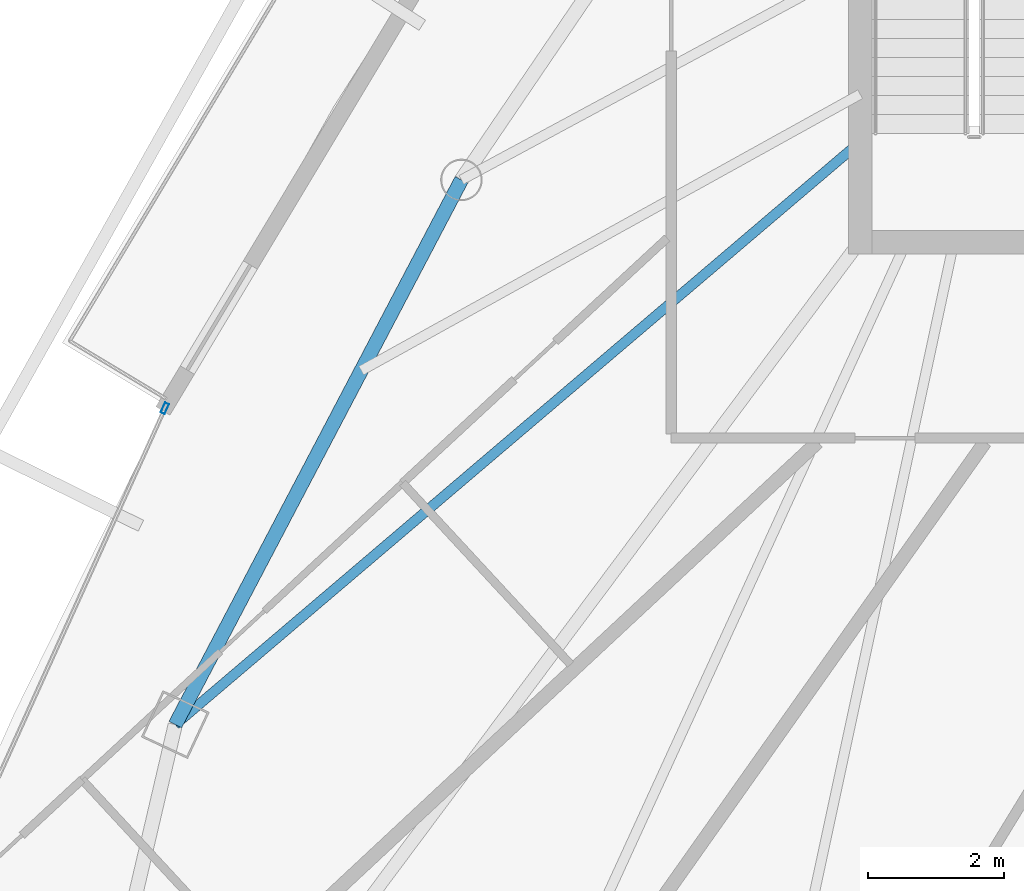
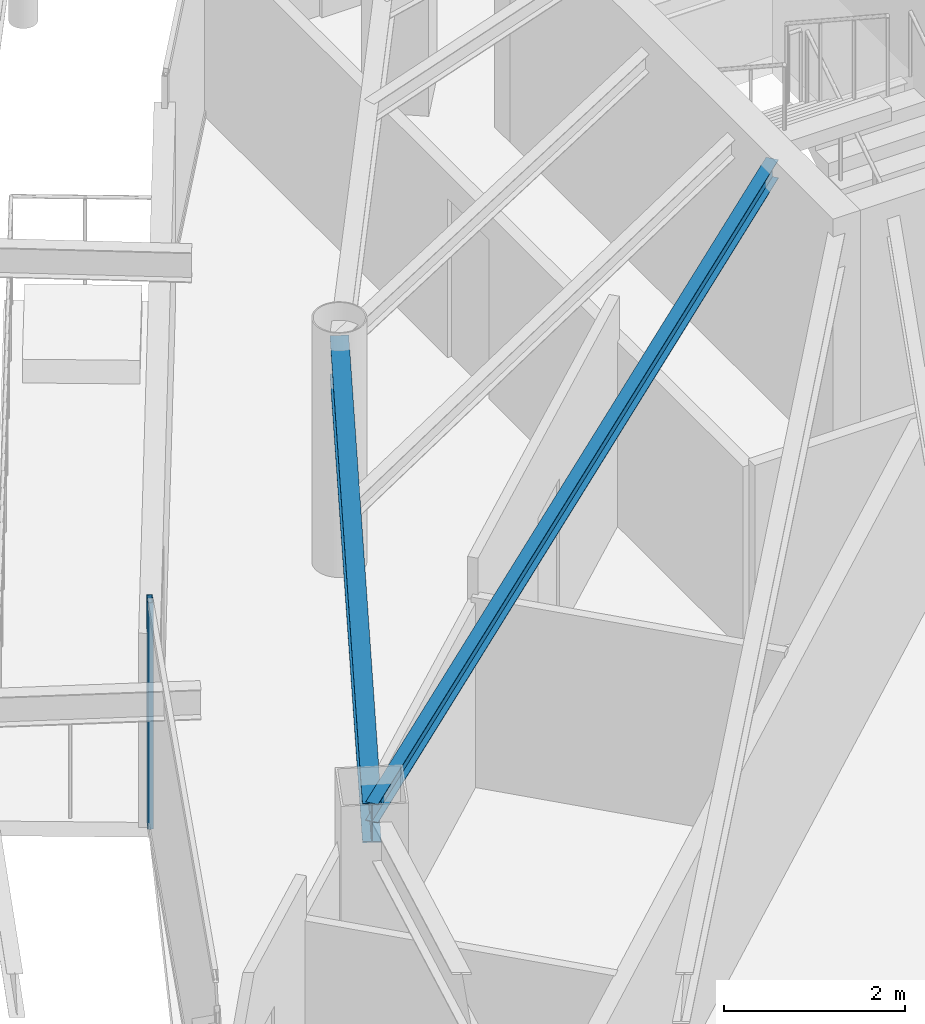
# One storey, part 10 of 32: 2 beams, 1 member, 1 element without a shape of its own.
"""IFC4 building model written with IfcOpenShell, lengths in metres."""

from ifc_helpers import new_model, si_unit, direction, frame, origin, origin_2d, place, context, subcontext, project, spatial, hollow_rectangle, i_section, extrude, material, layer, layer_set, material_profile, profile_set, type_object, element, aggregate, save


model = new_model("IFC4")

# Units and contexts
model_context = context("Model", 3, precision=1e-05, world=origin(), true_north=direction((0.0, 1.0)))
body_context = subcontext(model_context, "Body", "Model", "MODEL_VIEW")
ifc_project = project(units=[si_unit("LENGTHUNIT", "METRE"), si_unit("AREAUNIT", "SQUARE_METRE"), si_unit("VOLUMEUNIT", "CUBIC_METRE"), si_unit("PLANEANGLEUNIT", "RADIAN"), si_unit("MASSUNIT", "GRAM", prefix="KILO")], contexts=[model_context])

# Site, building, storey
site_placement = place(None, origin())
site = spatial("IfcSite", under=ifc_project, at=site_placement, CompositionType="ELEMENT")
building_placement = place(site_placement, origin())
building = spatial("IfcBuilding", under=site, at=building_placement, Name="Orvanel Arch Residences", CompositionType="ELEMENT")
storey_placement = place(building_placement, frame((0.0, 0.0, 216.199951171875)))
storey = spatial("IfcBuildingStorey", under=building, at=storey_placement, Name="L61", CompositionType="ELEMENT", Elevation=216.199951171875)

# Beam
ifc_material_1 = material(Name="Structural steel AS/NZS 3679.1 Grade 300 (300 MPa)", Category="steel")
ifc_material_profile_1 = material_profile(ifc_material_1, i_section(OverallWidth=0.14599609375, OverallDepth=0.251953125, WebThickness=0.006103515625, FlangeThickness=0.008544921875, at=origin_2d()), Name="250UB31.4")
ifc_profile_set_1 = profile_set([ifc_material_profile_1], Name="Structural steel AS/NZS 3679.1 Grade 300 (300 MPa)")
beam_type_1 = type_object("IfcBeamType", Name="BJ-250UB", PredefinedType="JOIST", material=ifc_profile_set_1)
beam_1_placement = place(storey_placement, frame((26.425048828125, 28.199951171875, 2.93408203125), z_axis=(-0.761622669031, -0.64802076357, 0.0), x_axis=(0.64802076357, -0.761622669031, 0.0)))
element("IfcBeam", 1, at=beam_1_placement, inside=storey, type_object=beam_type_1, Name="L61 W Wing Floor Joist", PredefinedType="JOIST", context=body_context, shape_type="SweptSolid", body=[
    extrude(i_section(OverallWidth=0.14599609375, OverallDepth=0.251953125, WebThickness=0.006103515625, FlangeThickness=0.008544921875, at=origin_2d()), origin(), (0.0, 0.0, 1.0), 13.2060546875),
])

# Curtain wall, member
ifc_material_2 = material(Name="Bronze-anodised aluminium AA6063-T6", Category="aluminium")
ifc_layer = layer(ifc_material_2, 0.175048828125)
ifc_layer_set = layer_set([ifc_layer], Name="Bronze-anodised aluminium AA6063-T6")
curtain_wall_type = type_object("IfcCurtainWallType", Name="CW4-HI-SYS", PredefinedType="NOTDEFINED", material=ifc_layer_set)
curtain_wall_placement = place(storey_placement, origin())
curtain_wall = element("IfcCurtainWall", 2, at=curtain_wall_placement, inside=storey, type_object=curtain_wall_type, Name="L61 CW4-HI-SYS Unitised Curtain Wall", PredefinedType="NOTDEFINED")
ifc_material_profile_2 = material_profile(ifc_material_2, hollow_rectangle(XDim=0.06494140625, YDim=0.159912109375, WallThickness=0.00390625, at=origin_2d()), Name="ALU160x65x4")
ifc_profile_set_2 = profile_set([ifc_material_profile_2], Name="Bronze-anodised aluminium AA6063-T6")
member_type = type_object("IfcMemberType", Name="MUL-160x65", PredefinedType="MULLION", material=ifc_profile_set_2)
member_placement = place(storey_placement, frame((16.213623046875, 24.286376953125, 0.0), z_axis=(0.0, 0.0, 1.0), x_axis=(0.911480004164, -0.411344383709, 0.0)))
member = element("IfcMember", 3, at=member_placement, type_object=member_type, Name="CW-S4 mullion 1", PredefinedType="MULLION", context=body_context, shape_type="SweptSolid", body=[
    extrude(hollow_rectangle(XDim=0.06494140625, YDim=0.159912109375, WallThickness=0.00390625, at=origin_2d()), origin(), (0.0, 0.0, 1.0), 3.06005859375),
])
aggregate(curtain_wall, [member])

# Beam
ifc_material_profile_3 = material_profile(ifc_material_1, i_section(OverallWidth=0.208984375, OverallDepth=0.532958984375, WebThickness=0.01025390625, FlangeThickness=0.015625, at=origin_2d()), Name="530UB92.4")
ifc_profile_set_3 = profile_set([ifc_material_profile_3], Name="Structural steel AS/NZS 3679.1 Grade 300 (300 MPa)")
beam_type_2 = type_object("IfcBeamType", Name="SP-530UB", PredefinedType="SPANDREL", material=ifc_profile_set_3)
beam_2_placement = place(storey_placement, frame((20.569091796875, 27.64111328125, 2.79296875), z_axis=(-0.465064762793, -0.885276660942, 0.0), x_axis=(0.885276660942, -0.465064762793, 0.0)))
element("IfcBeam", 4, at=beam_2_placement, inside=storey, type_object=beam_type_2, Name="L61 Perimeter Spandrel Beam 12", PredefinedType="SPANDREL", context=body_context, shape_type="SweptSolid", body=[
    extrude(i_section(OverallWidth=0.208984375, OverallDepth=0.532958984375, WebThickness=0.01025390625, FlangeThickness=0.015625, at=origin_2d()), origin(), (0.0, 0.0, 1.0), 9.03564453125),
])

save(model, "model.ifc")
